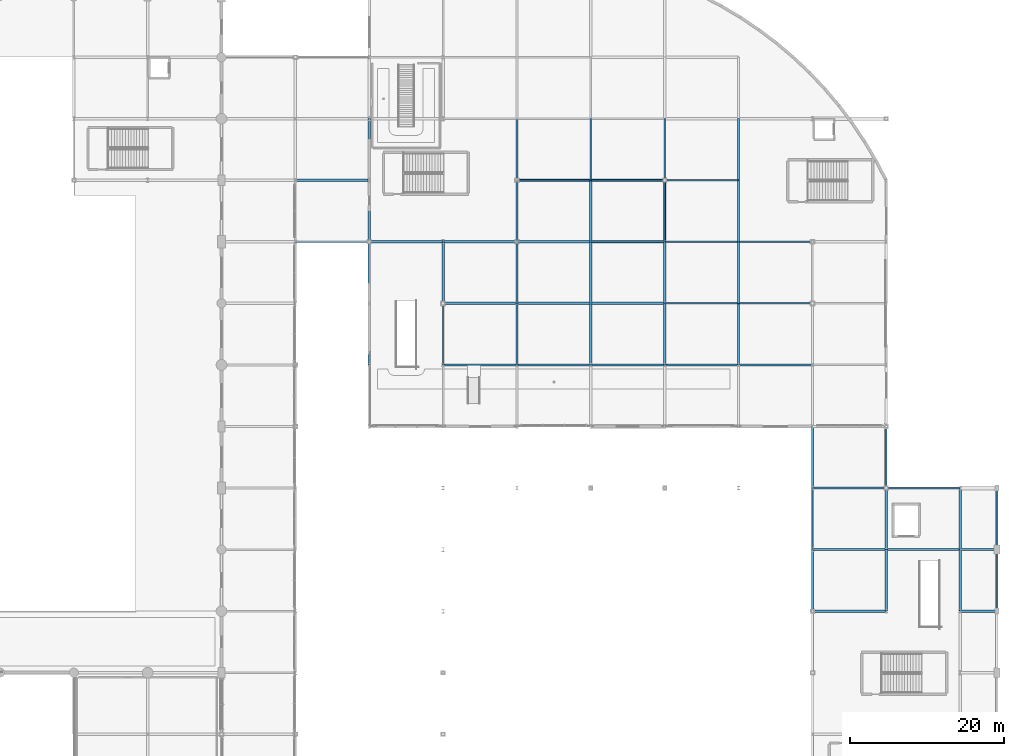
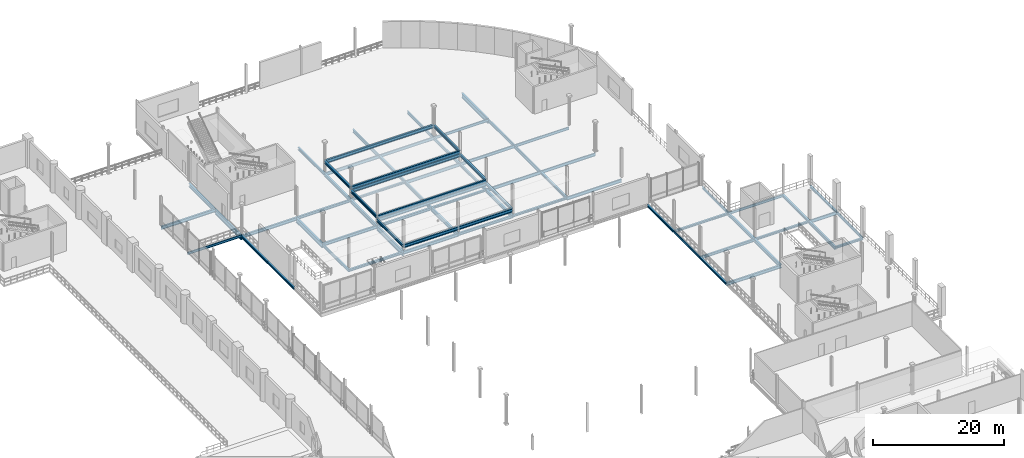
# One storey, part 60 of 129: 72 beams.
"""IFC4 building model written with IfcOpenShell, lengths in metres."""

from ifc_helpers import new_model, si_unit, direction, frame, origin, origin_2d, place, context, subcontext, project, spatial, i_section, extrude, material, material_profile, profile_set, type_object, element, save


model = new_model("IFC4")

# Units and contexts
model_context = context("Model", 3, precision=1e-05, world=origin(), true_north=direction((0.0, 1.0)))
body_context = subcontext(model_context, "Body", "Model", "MODEL_VIEW")
ifc_project = project(units=[si_unit("LENGTHUNIT", "METRE"), si_unit("AREAUNIT", "SQUARE_METRE"), si_unit("VOLUMEUNIT", "CUBIC_METRE"), si_unit("PLANEANGLEUNIT", "RADIAN"), si_unit("MASSUNIT", "GRAM", prefix="KILO")], contexts=[model_context])

# Site, building, storey
site_placement = place(None, origin())
site = spatial("IfcSite", under=ifc_project, at=site_placement, CompositionType="ELEMENT")
building_placement = place(site_placement, origin())
building = spatial("IfcBuilding", under=site, at=building_placement, Name="Danafjord Basin Convention Centre", CompositionType="ELEMENT")
storey_placement = place(building_placement, frame((0.0, 0.0, 6.0)))
storey = spatial("IfcBuildingStorey", under=building, at=storey_placement, Name="L01", CompositionType="ELEMENT", Elevation=6.0)

# Beams
ifc_material = material(Name="Steel S355", Category="steel")
ifc_material_profile_1 = material_profile(ifc_material, i_section(OverallWidth=0.300048828125, OverallDepth=0.389892578125, WebThickness=0.010986328125, FlangeThickness=0.01904296875, FilletRadius=0.027099609375, at=origin_2d()), Name="HEA 400")
ifc_profile_set_1 = profile_set([ifc_material_profile_1], Name="Steel S355")
beam_type_1 = type_object("IfcBeamType", Name="BEAM-BM-HEA400", PredefinedType="BEAM", material=ifc_profile_set_1)
beam_1_placement = place(storey_placement, frame((153.60009765625, 112.0, -0.554931640625), z_axis=(1.0, 0.0, 0.0), x_axis=(0.0, 1.0, 0.0)))
element("IfcBeam", 1, at=beam_1_placement, inside=storey, type_object=beam_type_1, Name="L01 girder BM-HEA400", PredefinedType="BEAM", context=body_context, shape_type="SweptSolid", body=[
    extrude(i_section(OverallWidth=0.300048828125, OverallDepth=0.389892578125, WebThickness=0.010986328125, FlangeThickness=0.01904296875, FilletRadius=0.027099609375, at=origin_2d()), origin(), (0.0, 0.0, 1.0), 9.599853515625),
])
beam_2_placement = place(storey_placement, frame((163.199951171875, 104.0, -0.554931640625), z_axis=(1.0, 0.0, 0.0), x_axis=(0.0, 1.0, 0.0)))
element("IfcBeam", 2, at=beam_2_placement, inside=storey, type_object=beam_type_1, Name="L01 girder BM-HEA400", PredefinedType="BEAM", context=body_context, shape_type="SweptSolid", body=[
    extrude(i_section(OverallWidth=0.300048828125, OverallDepth=0.389892578125, WebThickness=0.010986328125, FlangeThickness=0.01904296875, FilletRadius=0.027099609375, at=origin_2d()), origin(), (0.0, 0.0, 1.0), 9.60009765625),
])
beam_3_placement = place(storey_placement, frame((172.800048828125, 96.0, -0.554931640625), z_axis=(1.0, 0.0, 0.0), x_axis=(0.0, 1.0, 0.0)))
element("IfcBeam", 3, at=beam_3_placement, inside=storey, type_object=beam_type_1, Name="L01 girder BM-HEA400", PredefinedType="BEAM", context=body_context, shape_type="SweptSolid", body=[
    extrude(i_section(OverallWidth=0.300048828125, OverallDepth=0.389892578125, WebThickness=0.010986328125, FlangeThickness=0.01904296875, FilletRadius=0.027099609375, at=origin_2d()), origin(), (0.0, 0.0, 1.0), 9.599853515625),
])
beam_4_placement = place(storey_placement, frame((192.0, 80.0, -0.445068359375), z_axis=(1.0, 0.0, 0.0), x_axis=(0.0, 1.0, 0.0)))
element("IfcBeam", 4, at=beam_4_placement, inside=storey, type_object=beam_type_1, Name="L01 girder BM-HEA400", PredefinedType="BEAM", context=body_context, shape_type="SweptSolid", body=[
    extrude(i_section(OverallWidth=0.300048828125, OverallDepth=0.389892578125, WebThickness=0.010986328125, FlangeThickness=0.01904296875, FilletRadius=0.027099609375, at=origin_2d()), origin(), (0.0, 0.0, 1.0), 9.60009765625),
])
beam_5_placement = place(storey_placement, frame((201.60009765625, 72.0, -0.445068359375), z_axis=(1.0, 0.0, 0.0), x_axis=(0.0, 1.0, 0.0)))
element("IfcBeam", 5, at=beam_5_placement, inside=storey, type_object=beam_type_1, Name="L01 girder BM-HEA400", PredefinedType="BEAM", context=body_context, shape_type="SweptSolid", body=[
    extrude(i_section(OverallWidth=0.300048828125, OverallDepth=0.389892578125, WebThickness=0.010986328125, FlangeThickness=0.01904296875, FilletRadius=0.027099609375, at=origin_2d()), origin(), (0.0, 0.0, 1.0), 9.599853515625),
])
beam_6_placement = place(storey_placement, frame((211.199951171875, 64.0, -0.445068359375), z_axis=(1.0, 0.0, 0.0), x_axis=(0.0, 1.0, 0.0)))
element("IfcBeam", 6, at=beam_6_placement, inside=storey, type_object=beam_type_1, Name="L01 girder BM-HEA400", PredefinedType="BEAM", context=body_context, shape_type="SweptSolid", body=[
    extrude(i_section(OverallWidth=0.300048828125, OverallDepth=0.389892578125, WebThickness=0.010986328125, FlangeThickness=0.01904296875, FilletRadius=0.027099609375, at=origin_2d()), origin(), (0.0, 0.0, 1.0), 4.800048828125),
])
ifc_material_profile_2 = material_profile(ifc_material, i_section(OverallWidth=0.300048828125, OverallDepth=0.489990234375, WebThickness=0.011962890625, FlangeThickness=0.02294921875, FilletRadius=0.027099609375, at=origin_2d()), Name="HEA 500")
ifc_profile_set_2 = profile_set([ifc_material_profile_2], Name="Steel S355")
beam_type_2 = type_object("IfcBeamType", Name="BEAM-BM-HEA500", PredefinedType="BEAM", material=ifc_profile_set_2)
beam_7_placement = place(storey_placement, frame((144.0, 112.0, -0.60498046875), z_axis=(1.0, 0.0, 0.0), x_axis=(0.0, 1.0, 0.0)))
element("IfcBeam", 7, at=beam_7_placement, inside=storey, type_object=beam_type_2, Name="L01 girder BM-HEA500", PredefinedType="BEAM", context=body_context, shape_type="SweptSolid", body=[
    extrude(i_section(OverallWidth=0.300048828125, OverallDepth=0.489990234375, WebThickness=0.011962890625, FlangeThickness=0.02294921875, FilletRadius=0.027099609375, at=origin_2d()), origin(), (0.0, 0.0, 1.0), 9.60009765625),
])
beam_8_placement = place(storey_placement, frame((153.60009765625, 104.0, -0.60498046875), z_axis=(1.0, 0.0, 0.0), x_axis=(0.0, 1.0, 0.0)))
element("IfcBeam", 8, at=beam_8_placement, inside=storey, type_object=beam_type_2, Name="L01 girder BM-HEA500", PredefinedType="BEAM", context=body_context, shape_type="SweptSolid", body=[
    extrude(i_section(OverallWidth=0.300048828125, OverallDepth=0.489990234375, WebThickness=0.011962890625, FlangeThickness=0.02294921875, FilletRadius=0.027099609375, at=origin_2d()), origin(), (0.0, 0.0, 1.0), 9.599853515625),
])
for number, where, z_axis, x_axis, name in (
    (9, (163.199951171875, 96.0, -0.60498046875), (1.0, 0.0, 0.0), (0.0, 1.0, 0.0), "L01 girder BM-HEA500"),
    (10, (192.0, 72.0, -0.4951171875), (1.0, 0.0, 0.0), (0.0, 1.0, 0.0), "L01 girder BM-HEA500"),
):
    element("IfcBeam", number, at=place(storey_placement, frame(where, z_axis=z_axis, x_axis=x_axis)), inside=storey, type_object=beam_type_2, Name=name, PredefinedType="BEAM", context=body_context, shape_type="SweptSolid", body=[
        extrude(i_section(OverallWidth=0.300048828125, OverallDepth=0.489990234375, WebThickness=0.011962890625, FlangeThickness=0.02294921875, FilletRadius=0.027099609375, at=origin_2d()), origin(), (0.0, 0.0, 1.0), 9.60009765625),
    ])
ifc_material_profile_3 = material_profile(ifc_material, i_section(OverallWidth=0.300048828125, OverallDepth=0.590087890625, WebThickness=0.012939453125, FlangeThickness=0.02490234375, FilletRadius=0.027099609375, at=origin_2d()), Name="HEA 600")
ifc_profile_set_3 = profile_set([ifc_material_profile_3], Name="Steel S355")
beam_type_3 = type_object("IfcBeamType", Name="BEAM-BM-HEA600", PredefinedType="BEAM", material=ifc_profile_set_3)
beam_9_placement = place(storey_placement, frame((124.800048828125, 120.0, -0.52490234375), z_axis=(1.0, 0.0, 0.0), x_axis=(0.0, 1.0, 0.0)))
element("IfcBeam", 11, at=beam_9_placement, inside=storey, type_object=beam_type_3, Name="L01 girder BM-HEA600", PredefinedType="BEAM", context=body_context, shape_type="SweptSolid", body=[
    extrude(i_section(OverallWidth=0.300048828125, OverallDepth=0.590087890625, WebThickness=0.012939453125, FlangeThickness=0.02490234375, FilletRadius=0.027099609375, at=origin_2d()), origin(), (0.0, 0.0, 1.0), 9.599853515625),
])
for number, where, z_axis, x_axis, name in (
    (12, (134.39990234375, 112.0, -0.655029296875), (1.0, 0.0, 0.0), (0.0, 1.0, 0.0), "L01 girder BM-HEA600"),
    (13, (144.0, 104.0, -0.655029296875), (1.0, 0.0, 0.0), (0.0, 1.0, 0.0), "L01 girder BM-HEA600"),
):
    element("IfcBeam", number, at=place(storey_placement, frame(where, z_axis=z_axis, x_axis=x_axis)), inside=storey, type_object=beam_type_3, Name=name, PredefinedType="BEAM", context=body_context, shape_type="SweptSolid", body=[
        extrude(i_section(OverallWidth=0.300048828125, OverallDepth=0.590087890625, WebThickness=0.012939453125, FlangeThickness=0.02490234375, FilletRadius=0.027099609375, at=origin_2d()), origin(), (0.0, 0.0, 1.0), 9.60009765625),
    ])
beam_10_placement = place(storey_placement, frame((153.60009765625, 96.0, -0.655029296875), z_axis=(1.0, 0.0, 0.0), x_axis=(0.0, 1.0, 0.0)))
element("IfcBeam", 14, at=beam_10_placement, inside=storey, type_object=beam_type_3, Name="L01 girder BM-HEA600", PredefinedType="BEAM", context=body_context, shape_type="SweptSolid", body=[
    extrude(i_section(OverallWidth=0.300048828125, OverallDepth=0.590087890625, WebThickness=0.012939453125, FlangeThickness=0.02490234375, FilletRadius=0.027099609375, at=origin_2d()), origin(), (0.0, 0.0, 1.0), 9.599853515625),
])
beam_11_placement = place(storey_placement, frame((192.0, 64.0, -0.544921875), z_axis=(1.0, 0.0, 0.0), x_axis=(0.0, 1.0, 0.0)))
element("IfcBeam", 15, at=beam_11_placement, inside=storey, type_object=beam_type_3, Name="L01 girder BM-HEA600", PredefinedType="BEAM", context=body_context, shape_type="SweptSolid", body=[
    extrude(i_section(OverallWidth=0.300048828125, OverallDepth=0.590087890625, WebThickness=0.012939453125, FlangeThickness=0.02490234375, FilletRadius=0.027099609375, at=origin_2d()), origin(), (0.0, 0.0, 1.0), 9.60009765625),
])
ifc_material_profile_4 = material_profile(ifc_material, i_section(OverallWidth=0.300048828125, OverallDepth=0.449951171875, WebThickness=0.013916015625, FlangeThickness=0.02587890625, FilletRadius=0.027099609375, at=origin_2d()), Name="HEB 450")
ifc_profile_set_4 = profile_set([ifc_material_profile_4], Name="Steel S355")
beam_type_4 = type_object("IfcBeamType", Name="BEAM-BM-HEB450", PredefinedType="BEAM", material=ifc_profile_set_4)
beam_12_placement = place(storey_placement, frame((144.0, 96.0, -0.5849609375), z_axis=(1.0, 0.0, 0.0), x_axis=(0.0, 1.0, 0.0)))
element("IfcBeam", 16, at=beam_12_placement, inside=storey, type_object=beam_type_4, Name="L01 girder BM-HEB450", PredefinedType="BEAM", context=body_context, shape_type="SweptSolid", body=[
    extrude(i_section(OverallWidth=0.300048828125, OverallDepth=0.449951171875, WebThickness=0.013916015625, FlangeThickness=0.02587890625, FilletRadius=0.027099609375, at=origin_2d()), origin(), (0.0, 0.0, 1.0), 9.60009765625),
])
ifc_material_profile_5 = material_profile(ifc_material, i_section(OverallWidth=0.300048828125, OverallDepth=0.5, WebThickness=0.014404296875, FlangeThickness=0.028076171875, FilletRadius=0.027099609375, at=origin_2d()), Name="HEB 500")
ifc_profile_set_5 = profile_set([ifc_material_profile_5], Name="Steel S355")
beam_type_5 = type_object("IfcBeamType", Name="BEAM-BM-HEB500", PredefinedType="BEAM", material=ifc_profile_set_5)
for number, where, z_axis, x_axis, name in (
    (17, (153.60009765625, 96.0, 0.610107421875), (0.0, 1.0, 0.0), (-1.0, 0.0, 0.0), "Auditorium tier carrier girder"),
    (18, (172.800048828125, 96.0, 0.610107421875), (0.0, 1.0, 0.0), (-1.0, 0.0, 0.0), "Auditorium tier carrier girder"),
    (19, (153.60009765625, 104.0, 1.169921875), (0.0, 1.0, 0.0), (-1.0, 0.0, 0.0), "Auditorium tier carrier girder"),
    (20, (172.800048828125, 104.0, 1.169921875), (0.0, 1.0, 0.0), (-1.0, 0.0, 0.0), "Auditorium tier carrier girder"),
    (21, (153.60009765625, 112.0, 1.72998046875), (0.0, 1.0, 0.0), (-1.0, 0.0, 0.0), "Auditorium tier carrier girder"),
    (22, (172.800048828125, 112.0, 1.72998046875), (0.0, 1.0, 0.0), (-1.0, 0.0, 0.0), "Auditorium tier carrier girder"),
    (23, (153.60009765625, 120.0, -0.610107421875), (0.0, 1.0, 0.0), (-1.0, 0.0, 0.0), "L01 transverse girder BM-HEB500"),
    (24, (163.199951171875, 112.0, -0.610107421875), (0.0, 1.0, 0.0), (-1.0, 0.0, 0.0), "L01 transverse girder BM-HEB500"),
    (25, (172.800048828125, 104.0, -0.610107421875), (0.0, 1.0, 0.0), (-1.0, 0.0, 0.0), "L01 transverse girder BM-HEB500"),
    (26, (182.39990234375, 96.0, -0.610107421875), (0.0, 1.0, 0.0), (-1.0, 0.0, 0.0), "L01 transverse girder BM-HEB500"),
    (27, (211.199951171875, 72.0, -0.5), (0.0, 1.0, 0.0), (-1.0, 0.0, 0.0), "L01 transverse girder BM-HEB500"),
):
    element("IfcBeam", number, at=place(storey_placement, frame(where, z_axis=z_axis, x_axis=x_axis)), inside=storey, type_object=beam_type_5, Name=name, PredefinedType="BEAM", context=body_context, shape_type="SweptSolid", body=[
        extrude(i_section(OverallWidth=0.300048828125, OverallDepth=0.5, WebThickness=0.014404296875, FlangeThickness=0.028076171875, FilletRadius=0.027099609375, at=origin_2d()), origin(), (0.0, 0.0, 1.0), 8.0),
    ])
ifc_material_profile_6 = material_profile(ifc_material, i_section(OverallWidth=0.300048828125, OverallDepth=0.60009765625, WebThickness=0.015380859375, FlangeThickness=0.030029296875, FilletRadius=0.027099609375, at=origin_2d()), Name="HEB 600")
ifc_profile_set_6 = profile_set([ifc_material_profile_6], Name="Steel S355")
beam_type_6 = type_object("IfcBeamType", Name="BEAM-BM-HEB600", PredefinedType="BEAM", material=ifc_profile_set_6)
for number, where, z_axis, x_axis, name in (
    (28, (153.60009765625, 96.0, 0.56005859375), (1.0, 0.0, 0.0), (0.0, 1.0, 0.0), "Auditorium tier transverse girder"),
    (29, (153.60009765625, 104.0, 0.56005859375), (1.0, 0.0, 0.0), (0.0, 1.0, 0.0), "Auditorium tier transverse girder"),
    (30, (153.60009765625, 104.0, 1.1201171875), (1.0, 0.0, 0.0), (0.0, 1.0, 0.0), "Auditorium tier transverse girder"),
    (31, (153.60009765625, 112.0, 1.1201171875), (1.0, 0.0, 0.0), (0.0, 1.0, 0.0), "Auditorium tier transverse girder"),
    (32, (153.60009765625, 112.0, 1.679931640625), (1.0, 0.0, 0.0), (0.0, 1.0, 0.0), "Auditorium tier transverse girder"),
    (33, (153.60009765625, 120.0, 1.679931640625), (1.0, 0.0, 0.0), (0.0, 1.0, 0.0), "Auditorium tier transverse girder"),
):
    element("IfcBeam", number, at=place(storey_placement, frame(where, z_axis=z_axis, x_axis=x_axis)), inside=storey, type_object=beam_type_6, Name=name, PredefinedType="BEAM", context=body_context, shape_type="SweptSolid", body=[
        extrude(i_section(OverallWidth=0.300048828125, OverallDepth=0.60009765625, WebThickness=0.015380859375, FlangeThickness=0.030029296875, FilletRadius=0.027099609375, at=origin_2d()), origin(), (0.0, 0.0, 1.0), 19.199951171875),
    ])
for number, where, z_axis, x_axis, name in (
    (34, (153.60009765625, 112.0, -0.659912109375), (0.0, 1.0, 0.0), (-1.0, 0.0, 0.0), "L01 transverse girder BM-HEB600"),
    (35, (163.199951171875, 104.0, -0.659912109375), (0.0, 1.0, 0.0), (-1.0, 0.0, 0.0), "L01 transverse girder BM-HEB600"),
    (36, (172.800048828125, 96.0, -0.659912109375), (0.0, 1.0, 0.0), (-1.0, 0.0, 0.0), "L01 transverse girder BM-HEB600"),
    (37, (201.60009765625, 72.0, -0.550048828125), (0.0, 1.0, 0.0), (-1.0, 0.0, 0.0), "L01 transverse girder BM-HEB600"),
    (38, (211.199951171875, 64.0, -0.550048828125), (0.0, 1.0, 0.0), (-1.0, 0.0, 0.0), "L01 transverse girder BM-HEB600"),
):
    element("IfcBeam", number, at=place(storey_placement, frame(where, z_axis=z_axis, x_axis=x_axis)), inside=storey, type_object=beam_type_6, Name=name, PredefinedType="BEAM", context=body_context, shape_type="SweptSolid", body=[
        extrude(i_section(OverallWidth=0.300048828125, OverallDepth=0.60009765625, WebThickness=0.015380859375, FlangeThickness=0.030029296875, FilletRadius=0.027099609375, at=origin_2d()), origin(), (0.0, 0.0, 1.0), 8.0),
    ])
ifc_material_profile_7 = material_profile(ifc_material, i_section(OverallWidth=0.300048828125, OverallDepth=0.699951171875, WebThickness=0.01708984375, FlangeThickness=0.031982421875, FilletRadius=0.027099609375, at=origin_2d()), Name="HEB 700")
ifc_profile_set_7 = profile_set([ifc_material_profile_7], Name="Steel S355")
beam_type_7 = type_object("IfcBeamType", Name="BEAM-BM-HEB700", PredefinedType="BEAM", material=ifc_profile_set_7)
for number, where, z_axis, x_axis, name in (
    (39, (134.39990234375, 120.0, -0.7099609375), (0.0, 1.0, 0.0), (-1.0, 0.0, 0.0), "L01 transverse girder BM-HEB700"),
    (40, (153.60009765625, 104.0, -0.7099609375), (0.0, 1.0, 0.0), (-1.0, 0.0, 0.0), "L01 transverse girder BM-HEB700"),
    (41, (163.199951171875, 96.0, -0.7099609375), (0.0, 1.0, 0.0), (-1.0, 0.0, 0.0), "L01 transverse girder BM-HEB700"),
    (42, (201.60009765625, 64.0, -0.60009765625), (0.0, 1.0, 0.0), (-1.0, 0.0, 0.0), "L01 transverse girder BM-HEB700"),
):
    element("IfcBeam", number, at=place(storey_placement, frame(where, z_axis=z_axis, x_axis=x_axis)), inside=storey, type_object=beam_type_7, Name=name, PredefinedType="BEAM", context=body_context, shape_type="SweptSolid", body=[
        extrude(i_section(OverallWidth=0.300048828125, OverallDepth=0.699951171875, WebThickness=0.01708984375, FlangeThickness=0.031982421875, FilletRadius=0.027099609375, at=origin_2d()), origin(), (0.0, 0.0, 1.0), 8.0),
    ])
ifc_material_profile_8 = material_profile(ifc_material, i_section(OverallWidth=0.300048828125, OverallDepth=0.89990234375, WebThickness=0.0185546875, FlangeThickness=0.034912109375, FilletRadius=0.030029296875, at=origin_2d()), Name="HEB 900")
ifc_profile_set_8 = profile_set([ifc_material_profile_8], Name="Steel S355")
beam_type_8 = type_object("IfcBeamType", Name="BEAM-BM-HEB900", PredefinedType="BEAM", material=ifc_profile_set_8)
for number, where, z_axis, x_axis, name in (
    (43, (134.39990234375, 112.0, -0.81005859375), (0.0, 1.0, 0.0), (-1.0, 0.0, 0.0), "L01 transverse girder BM-HEB900"),
    (44, (144.0, 104.0, -0.81005859375), (0.0, 1.0, 0.0), (-1.0, 0.0, 0.0), "L01 transverse girder BM-HEB900"),
    (45, (153.60009765625, 96.0, -0.81005859375), (0.0, 1.0, 0.0), (-1.0, 0.0, 0.0), "L01 transverse girder BM-HEB900"),
    (46, (182.39990234375, 120.0, -0.81005859375), (0.0, 1.0, 0.0), (-1.0, 0.0, 0.0), "L01 transverse girder BM-HEB900"),
):
    element("IfcBeam", number, at=place(storey_placement, frame(where, z_axis=z_axis, x_axis=x_axis)), inside=storey, type_object=beam_type_8, Name=name, PredefinedType="BEAM", context=body_context, shape_type="SweptSolid", body=[
        extrude(i_section(OverallWidth=0.300048828125, OverallDepth=0.89990234375, WebThickness=0.0185546875, FlangeThickness=0.034912109375, FilletRadius=0.030029296875, at=origin_2d()), origin(), (0.0, 0.0, 1.0), 8.0),
    ])
ifc_material_profile_9 = material_profile(ifc_material, i_section(OverallWidth=0.199951171875, OverallDepth=0.5, WebThickness=0.01025390625, FlangeThickness=0.01611328125, FilletRadius=0.02099609375, at=origin_2d()), Name="IPE 500")
ifc_profile_set_9 = profile_set([ifc_material_profile_9], Name="Steel S355")
beam_type_9 = type_object("IfcBeamType", Name="BEAM-BM-IPE500", PredefinedType="BEAM", material=ifc_profile_set_9)
beam_13_placement = place(storey_placement, frame((172.800048828125, 120.0, -0.610107421875), z_axis=(1.0, 0.0, 0.0), x_axis=(0.0, 1.0, 0.0)))
element("IfcBeam", 47, at=beam_13_placement, inside=storey, type_object=beam_type_9, Name="L01 girder BM-IPE500", PredefinedType="BEAM", context=body_context, shape_type="SweptSolid", body=[
    extrude(i_section(OverallWidth=0.199951171875, OverallDepth=0.5, WebThickness=0.01025390625, FlangeThickness=0.01611328125, FilletRadius=0.02099609375, at=origin_2d()), origin(), (0.0, 0.0, 1.0), 9.599853515625),
])
beam_14_placement = place(storey_placement, frame((182.39990234375, 112.0, -0.610107421875), z_axis=(1.0, 0.0, 0.0), x_axis=(0.0, 1.0, 0.0)))
element("IfcBeam", 48, at=beam_14_placement, inside=storey, type_object=beam_type_9, Name="L01 girder BM-IPE500", PredefinedType="BEAM", context=body_context, shape_type="SweptSolid", body=[
    extrude(i_section(OverallWidth=0.199951171875, OverallDepth=0.5, WebThickness=0.01025390625, FlangeThickness=0.01611328125, FilletRadius=0.02099609375, at=origin_2d()), origin(), (0.0, 0.0, 1.0), 9.60009765625),
])
ifc_material_profile_10 = material_profile(ifc_material, i_section(OverallWidth=0.2099609375, OverallDepth=0.550048828125, WebThickness=0.010986328125, FlangeThickness=0.01708984375, FilletRadius=0.02392578125, at=origin_2d()), Name="IPE 550")
ifc_profile_set_10 = profile_set([ifc_material_profile_10], Name="Steel S355")
beam_type_10 = type_object("IfcBeamType", Name="BEAM-BM-IPE550", PredefinedType="BEAM", material=ifc_profile_set_10)
beam_15_placement = place(storey_placement, frame((163.199951171875, 120.0, -0.635009765625), z_axis=(1.0, 0.0, 0.0), x_axis=(0.0, 1.0, 0.0)))
element("IfcBeam", 49, at=beam_15_placement, inside=storey, type_object=beam_type_10, Name="L01 girder BM-IPE550", PredefinedType="BEAM", context=body_context, shape_type="SweptSolid", body=[
    extrude(i_section(OverallWidth=0.2099609375, OverallDepth=0.550048828125, WebThickness=0.010986328125, FlangeThickness=0.01708984375, FilletRadius=0.02392578125, at=origin_2d()), origin(), (0.0, 0.0, 1.0), 9.60009765625),
])
beam_16_placement = place(storey_placement, frame((172.800048828125, 112.0, -0.635009765625), z_axis=(1.0, 0.0, 0.0), x_axis=(0.0, 1.0, 0.0)))
element("IfcBeam", 50, at=beam_16_placement, inside=storey, type_object=beam_type_10, Name="L01 girder BM-IPE550", PredefinedType="BEAM", context=body_context, shape_type="SweptSolid", body=[
    extrude(i_section(OverallWidth=0.2099609375, OverallDepth=0.550048828125, WebThickness=0.010986328125, FlangeThickness=0.01708984375, FilletRadius=0.02392578125, at=origin_2d()), origin(), (0.0, 0.0, 1.0), 9.599853515625),
])
beam_17_placement = place(storey_placement, frame((182.39990234375, 104.0, -0.635009765625), z_axis=(1.0, 0.0, 0.0), x_axis=(0.0, 1.0, 0.0)))
element("IfcBeam", 51, at=beam_17_placement, inside=storey, type_object=beam_type_10, Name="L01 girder BM-IPE550", PredefinedType="BEAM", context=body_context, shape_type="SweptSolid", body=[
    extrude(i_section(OverallWidth=0.2099609375, OverallDepth=0.550048828125, WebThickness=0.010986328125, FlangeThickness=0.01708984375, FilletRadius=0.02392578125, at=origin_2d()), origin(), (0.0, 0.0, 1.0), 9.60009765625),
])
for number, where, z_axis, x_axis, name in (
    (52, (144.0, 96.0, -0.635009765625), (0.0, 1.0, 0.0), (-1.0, 0.0, 0.0), "L01 transverse girder BM-IPE550"),
    (53, (172.800048828125, 120.0, -0.635009765625), (0.0, 1.0, 0.0), (-1.0, 0.0, 0.0), "L01 transverse girder BM-IPE550"),
    (54, (182.39990234375, 112.0, -0.635009765625), (0.0, 1.0, 0.0), (-1.0, 0.0, 0.0), "L01 transverse girder BM-IPE550"),
):
    element("IfcBeam", number, at=place(storey_placement, frame(where, z_axis=z_axis, x_axis=x_axis)), inside=storey, type_object=beam_type_10, Name=name, PredefinedType="BEAM", context=body_context, shape_type="SweptSolid", body=[
        extrude(i_section(OverallWidth=0.2099609375, OverallDepth=0.550048828125, WebThickness=0.010986328125, FlangeThickness=0.01708984375, FilletRadius=0.02392578125, at=origin_2d()), origin(), (0.0, 0.0, 1.0), 8.0),
    ])
ifc_material_profile_11 = material_profile(ifc_material, i_section(OverallWidth=0.219970703125, OverallDepth=0.60009765625, WebThickness=0.011962890625, FlangeThickness=0.01904296875, FilletRadius=0.02392578125, at=origin_2d()), Name="IPE 600")
ifc_profile_set_11 = profile_set([ifc_material_profile_11], Name="Steel S355")
beam_type_11 = type_object("IfcBeamType", Name="BEAM-BM-IPE600", PredefinedType="BEAM", material=ifc_profile_set_11)
beam_18_placement = place(storey_placement, frame((153.60009765625, 120.0, -0.659912109375), z_axis=(1.0, 0.0, 0.0), x_axis=(0.0, 1.0, 0.0)))
element("IfcBeam", 55, at=beam_18_placement, inside=storey, type_object=beam_type_11, Name="L01 girder BM-IPE600", PredefinedType="BEAM", context=body_context, shape_type="SweptSolid", body=[
    extrude(i_section(OverallWidth=0.219970703125, OverallDepth=0.60009765625, WebThickness=0.011962890625, FlangeThickness=0.01904296875, FilletRadius=0.02392578125, at=origin_2d()), origin(), (0.0, 0.0, 1.0), 9.599853515625),
])
beam_19_placement = place(storey_placement, frame((163.199951171875, 112.0, -0.659912109375), z_axis=(1.0, 0.0, 0.0), x_axis=(0.0, 1.0, 0.0)))
element("IfcBeam", 56, at=beam_19_placement, inside=storey, type_object=beam_type_11, Name="L01 girder BM-IPE600", PredefinedType="BEAM", context=body_context, shape_type="SweptSolid", body=[
    extrude(i_section(OverallWidth=0.219970703125, OverallDepth=0.60009765625, WebThickness=0.011962890625, FlangeThickness=0.01904296875, FilletRadius=0.02392578125, at=origin_2d()), origin(), (0.0, 0.0, 1.0), 9.60009765625),
])
beam_20_placement = place(storey_placement, frame((172.800048828125, 104.0, -0.659912109375), z_axis=(1.0, 0.0, 0.0), x_axis=(0.0, 1.0, 0.0)))
element("IfcBeam", 57, at=beam_20_placement, inside=storey, type_object=beam_type_11, Name="L01 girder BM-IPE600", PredefinedType="BEAM", context=body_context, shape_type="SweptSolid", body=[
    extrude(i_section(OverallWidth=0.219970703125, OverallDepth=0.60009765625, WebThickness=0.011962890625, FlangeThickness=0.01904296875, FilletRadius=0.02392578125, at=origin_2d()), origin(), (0.0, 0.0, 1.0), 9.599853515625),
])
beam_21_placement = place(storey_placement, frame((182.39990234375, 96.0, -0.659912109375), z_axis=(1.0, 0.0, 0.0), x_axis=(0.0, 1.0, 0.0)))
element("IfcBeam", 58, at=beam_21_placement, inside=storey, type_object=beam_type_11, Name="L01 girder BM-IPE600", PredefinedType="BEAM", context=body_context, shape_type="SweptSolid", body=[
    extrude(i_section(OverallWidth=0.219970703125, OverallDepth=0.60009765625, WebThickness=0.011962890625, FlangeThickness=0.01904296875, FilletRadius=0.02392578125, at=origin_2d()), origin(), (0.0, 0.0, 1.0), 9.60009765625),
])
beam_22_placement = place(storey_placement, frame((211.199951171875, 72.0, -0.550048828125), z_axis=(1.0, 0.0, 0.0), x_axis=(0.0, 1.0, 0.0)))
element("IfcBeam", 59, at=beam_22_placement, inside=storey, type_object=beam_type_11, Name="L01 girder BM-IPE600", PredefinedType="BEAM", context=body_context, shape_type="SweptSolid", body=[
    extrude(i_section(OverallWidth=0.219970703125, OverallDepth=0.60009765625, WebThickness=0.011962890625, FlangeThickness=0.01904296875, FilletRadius=0.02392578125, at=origin_2d()), origin(), (0.0, 0.0, 1.0), 4.800048828125),
])
for number, where, z_axis, x_axis, name in (
    (60, (163.199951171875, 120.0, -0.659912109375), (0.0, 1.0, 0.0), (-1.0, 0.0, 0.0), "L01 transverse girder BM-IPE600"),
    (61, (172.800048828125, 112.0, -0.659912109375), (0.0, 1.0, 0.0), (-1.0, 0.0, 0.0), "L01 transverse girder BM-IPE600"),
    (62, (182.39990234375, 104.0, -0.659912109375), (0.0, 1.0, 0.0), (-1.0, 0.0, 0.0), "L01 transverse girder BM-IPE600"),
):
    element("IfcBeam", number, at=place(storey_placement, frame(where, z_axis=z_axis, x_axis=x_axis)), inside=storey, type_object=beam_type_11, Name=name, PredefinedType="BEAM", context=body_context, shape_type="SweptSolid", body=[
        extrude(i_section(OverallWidth=0.219970703125, OverallDepth=0.60009765625, WebThickness=0.011962890625, FlangeThickness=0.01904296875, FilletRadius=0.02392578125, at=origin_2d()), origin(), (0.0, 0.0, 1.0), 8.0),
    ])
ifc_material_profile_12 = material_profile(ifc_material, i_section(OverallWidth=0.300048828125, OverallDepth=0.39990234375, WebThickness=0.013427734375, FlangeThickness=0.02392578125, FilletRadius=0.027099609375, at=origin_2d()), Name="HEB 400")
ifc_profile_set_12 = profile_set([ifc_material_profile_12], Name="Steel S355")
beam_type_12 = type_object("IfcBeamType", Name="BEAM-SP-HEB400", PredefinedType="SPANDREL", material=ifc_profile_set_12)
for number, where, z_axis, x_axis, name in (
    (63, (134.39990234375, 96.0, -0.56005859375), (0.0, 1.0, 0.0), (-1.0, 0.0, 0.0), "L01 transverse girder SP-HEB400"),
    (64, (192.0, 64.0, -0.449951171875), (0.0, 1.0, 0.0), (-1.0, 0.0, 0.0), "L01 transverse girder SP-HEB400"),
    (65, (192.0, 80.0, -0.449951171875), (0.0, 1.0, 0.0), (-1.0, 0.0, 0.0), "L01 transverse girder SP-HEB400"),
    (66, (216.0, 72.0, -0.449951171875), (0.0, 1.0, 0.0), (-1.0, 0.0, 0.0), "L01 transverse girder SP-HEB400"),
):
    element("IfcBeam", number, at=place(storey_placement, frame(where, z_axis=z_axis, x_axis=x_axis)), inside=storey, type_object=beam_type_12, Name=name, PredefinedType="SPANDREL", context=body_context, shape_type="SweptSolid", body=[
        extrude(i_section(OverallWidth=0.300048828125, OverallDepth=0.39990234375, WebThickness=0.013427734375, FlangeThickness=0.02392578125, FilletRadius=0.027099609375, at=origin_2d()), origin(), (0.0, 0.0, 1.0), 8.0),
    ])
ifc_material_profile_13 = material_profile(ifc_material, i_section(OverallWidth=0.300048828125, OverallDepth=0.449951171875, WebThickness=0.013916015625, FlangeThickness=0.02587890625, FilletRadius=0.027099609375, at=origin_2d()), Name="HEB 450")
ifc_profile_set_13 = profile_set([ifc_material_profile_13], Name="Steel S355")
beam_type_13 = type_object("IfcBeamType", Name="BEAM-SP-HEB450", PredefinedType="SPANDREL", material=ifc_profile_set_13)
beam_23_placement = place(storey_placement, frame((134.39990234375, 104.0, -0.5849609375), z_axis=(0.0, 1.0, 0.0), x_axis=(-1.0, 0.0, 0.0)))
element("IfcBeam", 67, at=beam_23_placement, inside=storey, type_object=beam_type_13, Name="L01 transverse girder SP-HEB450", PredefinedType="SPANDREL", context=body_context, shape_type="SweptSolid", body=[
    extrude(i_section(OverallWidth=0.300048828125, OverallDepth=0.449951171875, WebThickness=0.013916015625, FlangeThickness=0.02587890625, FilletRadius=0.027099609375, at=origin_2d()), origin(), (0.0, 0.0, 1.0), 8.0),
])
ifc_material_profile_14 = material_profile(ifc_material, i_section(OverallWidth=0.18994140625, OverallDepth=0.449951171875, WebThickness=0.009521484375, FlangeThickness=0.0146484375, FilletRadius=0.02099609375, at=origin_2d()), Name="IPE 450")
ifc_profile_set_14 = profile_set([ifc_material_profile_14], Name="Steel S355")
beam_type_14 = type_object("IfcBeamType", Name="BEAM-SP-IPE450", PredefinedType="SPANDREL", material=ifc_profile_set_14)
for number, where, z_axis, x_axis, name in (
    (68, (124.800048828125, 112.0, -0.455078125), (1.0, 0.0, 0.0), (0.0, 1.0, 0.0), "L01 girder SP-IPE450"),
    (69, (201.60009765625, 80.0, -0.47509765625), (1.0, 0.0, 0.0), (0.0, 1.0, 0.0), "L01 girder SP-IPE450"),
):
    element("IfcBeam", number, at=place(storey_placement, frame(where, z_axis=z_axis, x_axis=x_axis)), inside=storey, type_object=beam_type_14, Name=name, PredefinedType="SPANDREL", context=body_context, shape_type="SweptSolid", body=[
        extrude(i_section(OverallWidth=0.18994140625, OverallDepth=0.449951171875, WebThickness=0.009521484375, FlangeThickness=0.0146484375, FilletRadius=0.02099609375, at=origin_2d()), origin(), (0.0, 0.0, 1.0), 9.599853515625),
    ])
for number, where, z_axis, x_axis, name in (
    (70, (192.0, 72.0, -0.47509765625), (0.0, 1.0, 0.0), (-1.0, 0.0, 0.0), "L01 transverse girder SP-IPE450"),
    (71, (201.60009765625, 80.0, -0.47509765625), (0.0, 1.0, 0.0), (-1.0, 0.0, 0.0), "L01 transverse girder SP-IPE450"),
    (72, (216.0, 64.0, -0.47509765625), (0.0, 1.0, 0.0), (-1.0, 0.0, 0.0), "L01 transverse girder SP-IPE450"),
):
    element("IfcBeam", number, at=place(storey_placement, frame(where, z_axis=z_axis, x_axis=x_axis)), inside=storey, type_object=beam_type_14, Name=name, PredefinedType="SPANDREL", context=body_context, shape_type="SweptSolid", body=[
        extrude(i_section(OverallWidth=0.18994140625, OverallDepth=0.449951171875, WebThickness=0.009521484375, FlangeThickness=0.0146484375, FilletRadius=0.02099609375, at=origin_2d()), origin(), (0.0, 0.0, 1.0), 8.0),
    ])

save(model, "model.ifc")
